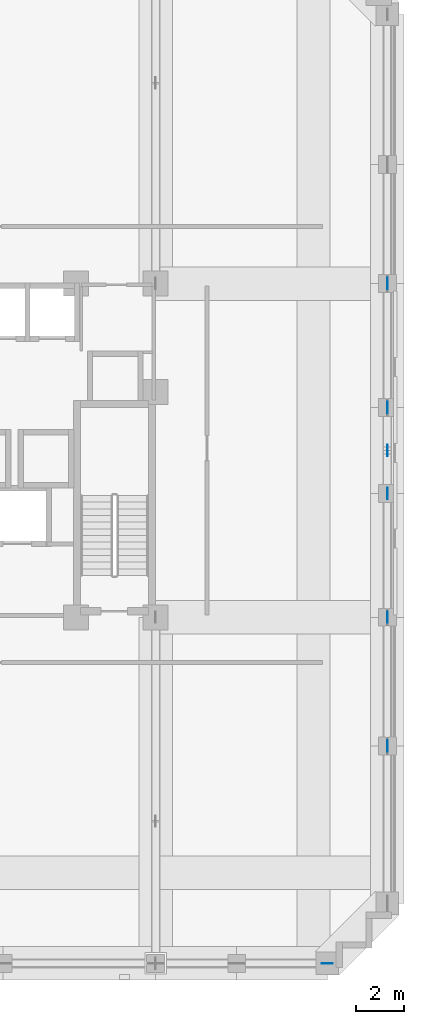
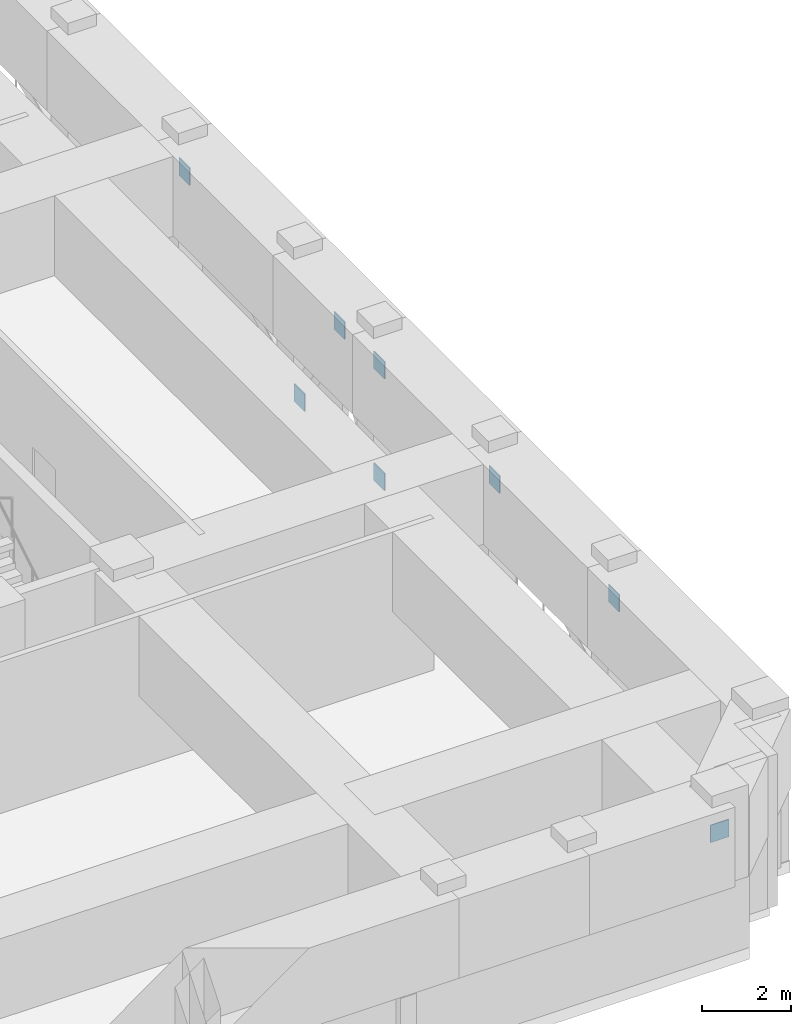
# One storey, part 7 of 11: 8 discrete accessories.
"""IFC4 building model written with IfcOpenShell, lengths in metres."""

from ifc_helpers import new_model, si_unit, derived_unit, direction, frame, origin, origin_2d, place, context, subcontext, project, spatial, rectangle, extrude, material, layer, layer_set, type_object, element, save


model = new_model("IFC4")

# Units and contexts
model_context = context("Model", 3, precision=1e-05, world=origin(), true_north=direction((0.0, 1.0)))
body_context = subcontext(model_context, "Body", "Model", "MODEL_VIEW")
ifc_project = project(units=[si_unit("LENGTHUNIT", "METRE"), si_unit("AREAUNIT", "SQUARE_METRE"), si_unit("VOLUMEUNIT", "CUBIC_METRE"), si_unit("PLANEANGLEUNIT", "RADIAN"), si_unit("MASSUNIT", "GRAM", prefix="KILO"), derived_unit("THERMALTRANSMITTANCEUNIT", [(si_unit("MASSUNIT", "GRAM", prefix="KILO"), 1), (si_unit("TIMEUNIT", "SECOND"), -3), (si_unit("THERMODYNAMICTEMPERATUREUNIT", "KELVIN"), -1)])], contexts=[model_context])

# Site, building, storey
site_placement = place(None, origin())
site = spatial("IfcSite", under=ifc_project, at=site_placement, CompositionType="ELEMENT")
building_placement = place(site_placement, origin())
building = spatial("IfcBuilding", under=site, at=building_placement, Name="Korrvale Station Residences", CompositionType="ELEMENT")
storey_placement = place(building_placement, frame((0.0, 0.0, 119.89990234375)))
storey = spatial("IfcBuildingStorey", under=building, at=storey_placement, Name="L34", CompositionType="ELEMENT", Elevation=119.89990234375)

# Discrete accessories
ifc_material = material(Name="Steel S355", Category="steel")
ifc_layer = layer(ifc_material, 0.02490234375, Name="Steel S355")
ifc_layer_set = layer_set([ifc_layer], Name="Steel S355")
discrete_accessory_type = type_object("IfcDiscreteAccessoryType", Name="ACC-GUSSET-25", PredefinedType="BRACKET", material=ifc_layer_set)
for number, where, z_axis, x_axis, name in (
    (1, (42.919921875, 20.199951171875, -0.219970703125), (0.0, 0.0, 1.0), (0.0, 1.0, 0.0), "L34 E Brace End Gusset Connection A"),
    (2, (42.919921875, 23.800048828125, -0.219970703125), (0.0, 0.0, 1.0), (0.0, 1.0, 0.0), "L34 E Brace End Gusset Connection B"),
    (3, (42.919921875, 22.0, 2.860107421875), (0.0, 0.0, 1.0), (0.0, 1.0, 0.0), "L34 E Brace End Gusset Connection M"),
    (4, (40.39990234375, 0.47998046875, 2.860107421875), (0.0, 0.0, 1.0), (1.0, 0.0, 0.0), "L34 Belt Truss Top Gusset Connection 06"),
    (5, (42.919921875, 9.60009765625, 2.860107421875), (0.0, 0.0, 1.0), (0.0, 1.0, 0.0), "L34 Belt Truss Top Gusset Connection 19"),
    (6, (42.919921875, 15.0, 2.860107421875), (0.0, 0.0, 1.0), (0.0, 1.0, 0.0), "L34 Belt Truss Top Gusset Connection 20"),
    (7, (42.919921875, 20.199951171875, 2.860107421875), (0.0, 0.0, 1.0), (0.0, 1.0, 0.0), "L34 Belt Truss Top Gusset Connection 21"),
    (8, (42.919921875, 29.0, 2.860107421875), (0.0, 0.0, 1.0), (0.0, 1.0, 0.0), "L34 Belt Truss Top Gusset Connection 22"),
):
    element("IfcDiscreteAccessory", number, at=place(storey_placement, frame(where, z_axis=z_axis, x_axis=x_axis)), inside=storey, type_object=discrete_accessory_type, Name=name, PredefinedType="BRACKET", context=body_context, shape_type="SweptSolid", body=[
        extrude(rectangle(XDim=0.47998046875, YDim=0.02490234375, at=origin_2d()), origin(), (0.0, 0.0, 1.0), 0.47998046875),
    ])

save(model, "model.ifc")
